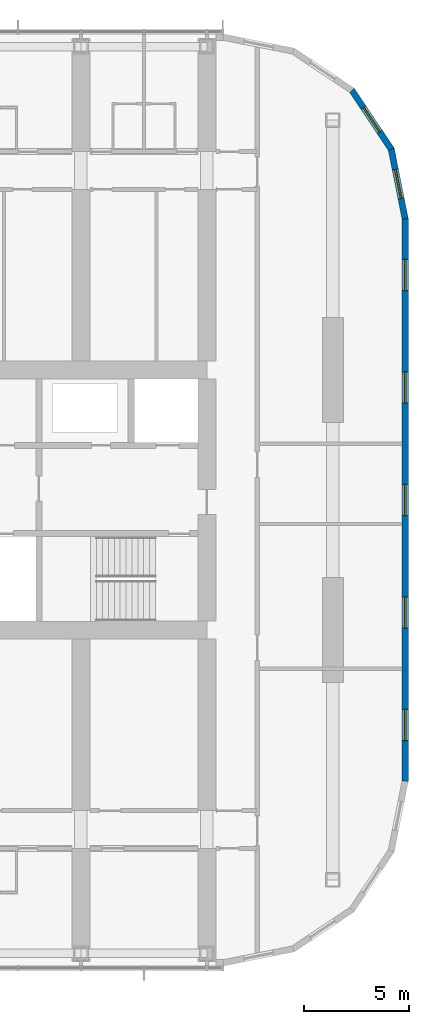
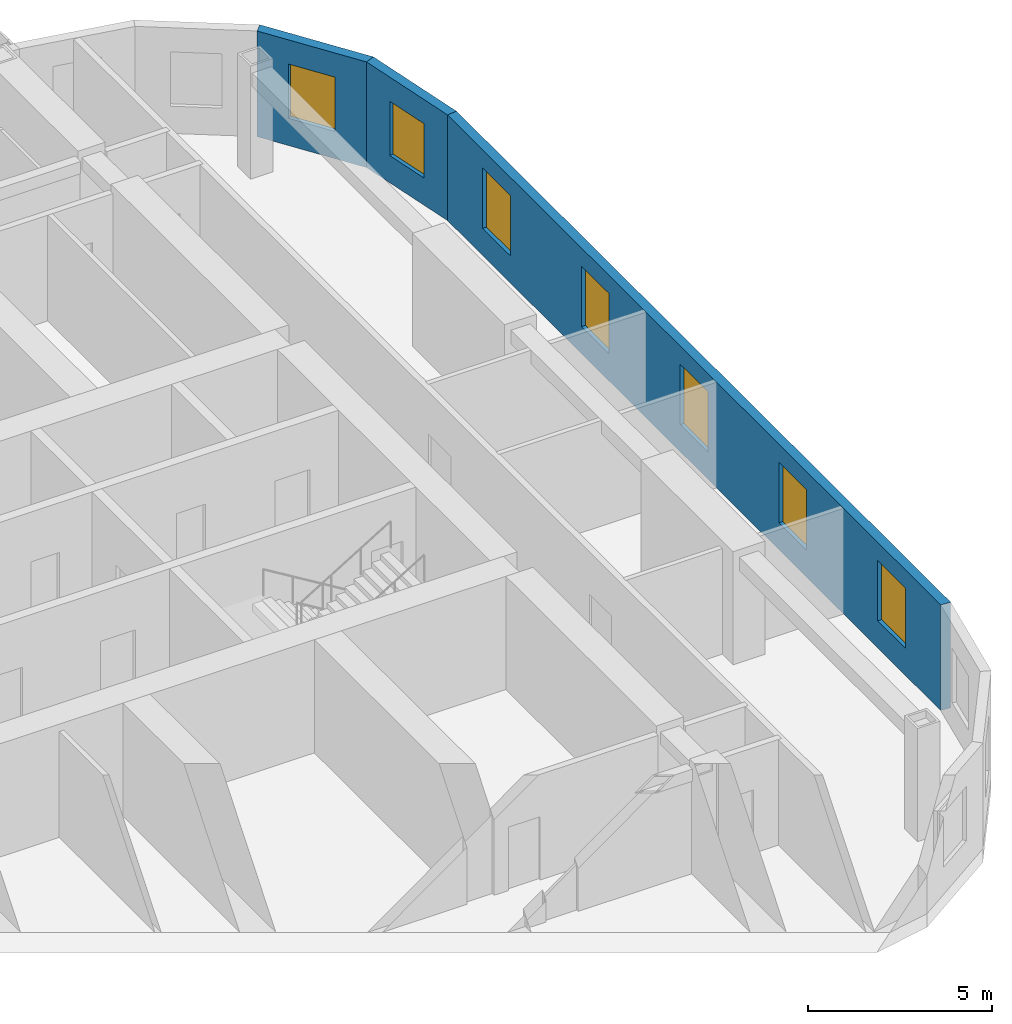
# One storey, part 22 of 29: 7 windows, 3 walls, 7 openings.
"""IFC4 building model written with IfcOpenShell, lengths in metres."""

from ifc_helpers import new_model, si_unit, direction, frame, frame_2d, origin, place, context, subcontext, project, spatial, polyline, rectangle, outline, extrude, material, layer, layer_set, type_object, element, fill, save


model = new_model("IFC4")

# Units and contexts
model_context = context("Model", 3, precision=1e-05, world=origin(), true_north=direction((0.0, 1.0)))
body_context = subcontext(model_context, "Body", "Model", "MODEL_VIEW")
ifc_project = project(units=[si_unit("LENGTHUNIT", "METRE"), si_unit("AREAUNIT", "SQUARE_METRE"), si_unit("VOLUMEUNIT", "CUBIC_METRE"), si_unit("PLANEANGLEUNIT", "RADIAN"), si_unit("MASSUNIT", "GRAM", prefix="KILO")], contexts=[model_context])

# Site, building, storey
site_placement = place(None, origin())
site = spatial("IfcSite", under=ifc_project, at=site_placement, CompositionType="ELEMENT")
building_placement = place(site_placement, origin())
building = spatial("IfcBuilding", under=site, at=building_placement, Name="Orbita Commons", CompositionType="ELEMENT")
storey_placement = place(building_placement, frame((0.0, 0.0, 163.60009765625)))
storey = spatial("IfcBuildingStorey", under=building, at=storey_placement, Name="L40", CompositionType="ELEMENT", Elevation=163.60009765625)

# Wall, openings, windows
ifc_material_1 = material(Name="Precast concrete C40/50, white board-marked finish", Category="concrete")
ifc_layer = layer(ifc_material_1, 0.300048828125)
ifc_layer_set = layer_set([ifc_layer], Name="Precast concrete C40/50, white board-marked finish")
wall_type = type_object("IfcWallType", Name="Precast concrete end shield 300", PredefinedType="SOLIDWALL", material=ifc_layer_set)
wall_1_placement = place(storey_placement, frame((75.449951171875, 18.60009765625, 0.0), z_axis=(0.0, 0.0, 1.0), x_axis=(0.0, 1.0, 0.0)))
wall_1 = element("IfcWall", 1, at=wall_1_placement, inside=storey, type_object=wall_type, Name="End shield E L40", PredefinedType="SOLIDWALL", context=body_context, shape_type="SweptSolid", body=[
    extrude(outline(polyline([(-0.014892578125, -0.14990234375), (26.814697265625, -0.14990234375), (26.784912109375, 0.14990234375), (0.014892578125, 0.14990234375), (-0.014892578125, -0.14990234375)])), origin(), (0.0, 0.0, 1.0), 3.5),
])
opening_1_placement = place(wall_1_placement, frame((1.929931640625, 0.0, 0.89990234375)))
opening_1 = element("IfcOpeningElement", 2, at=opening_1_placement, cuts=wall_1, Name="Opening W01", PredefinedType="OPENING", context=body_context, shape_type="SweptSolid", body=[
    extrude(rectangle(XDim=1.5, YDim=2.0, at=frame_2d((0.75, 1.0))), frame((0.0, 0.159912109375, 0.0), z_axis=(0.0, -1.0, 0.0), x_axis=(1.0, 0.0, 0.0)), (0.0, 0.0, 1.0), 0.320068359375),
])
opening_2_placement = place(wall_1_placement, frame((7.2900390625, 0.0, 0.89990234375)))
opening_2 = element("IfcOpeningElement", 3, at=opening_2_placement, cuts=wall_1, Name="Opening W01", PredefinedType="OPENING", context=body_context, shape_type="SweptSolid", body=[
    extrude(rectangle(XDim=1.5, YDim=2.0, at=frame_2d((0.75, 1.0))), frame((0.0, 0.159912109375, 0.0), z_axis=(0.0, -1.0, 0.0), x_axis=(1.0, 0.0, 0.0)), (0.0, 0.0, 1.0), 0.320068359375),
])
opening_3_placement = place(wall_1_placement, frame((12.64990234375, 0.0, 0.89990234375)))
opening_3 = element("IfcOpeningElement", 4, at=opening_3_placement, cuts=wall_1, Name="Opening W01", PredefinedType="OPENING", context=body_context, shape_type="SweptSolid", body=[
    extrude(rectangle(XDim=1.5, YDim=2.0, at=frame_2d((0.75, 1.0))), frame((0.0, 0.159912109375, 0.0), z_axis=(0.0, -1.0, 0.0), x_axis=(1.0, 0.0, 0.0)), (0.0, 0.0, 1.0), 0.320068359375),
])
opening_4_placement = place(wall_1_placement, frame((18.010009765625, 0.0, 0.89990234375)))
opening_4 = element("IfcOpeningElement", 5, at=opening_4_placement, cuts=wall_1, Name="Opening W01", PredefinedType="OPENING", context=body_context, shape_type="SweptSolid", body=[
    extrude(rectangle(XDim=1.5, YDim=2.0, at=frame_2d((0.75, 1.0))), frame((0.0, 0.159912109375, 0.0), z_axis=(0.0, -1.0, 0.0), x_axis=(1.0, 0.0, 0.0)), (0.0, 0.0, 1.0), 0.320068359375),
])
opening_5_placement = place(wall_1_placement, frame((23.3701171875, 0.0, 0.89990234375)))
opening_5 = element("IfcOpeningElement", 6, at=opening_5_placement, cuts=wall_1, Name="Opening W01", PredefinedType="OPENING", context=body_context, shape_type="SweptSolid", body=[
    extrude(rectangle(XDim=1.5, YDim=2.0, at=frame_2d((0.75, 1.0))), frame((0.0, 0.159912109375, 0.0), z_axis=(0.0, -1.0, 0.0), x_axis=(1.0, 0.0, 0.0)), (0.0, 0.0, 1.0), 0.320068359375),
])
ifc_material_2 = material(Name="Aluminium frame, clear double glazing", Category="aluminium")
window_type_1 = type_object("IfcWindowType", Name="Deep-set window 1500x2000", PartitioningType="SINGLE_PANEL", PredefinedType="WINDOW", material=ifc_material_2)
window_1_placement = place(opening_1_placement, origin())
window_1 = element("IfcWindow", 7, at=window_1_placement, inside=storey, type_object=window_type_1, Name="Window L40-E 1", OverallHeight=2.0, OverallWidth=1.5, PartitioningType="SINGLE_PANEL", PredefinedType="WINDOW", context=body_context, shape_type="SweptSolid", body=[
    extrude(rectangle(XDim=1.5, YDim=2.0, at=frame_2d((0.75, 1.0))), frame((0.0, 0.030029296875, 0.0), z_axis=(0.0, -1.0, 0.0), x_axis=(1.0, 0.0, 0.0)), (0.0, 0.0, 1.0), 0.06005859375),
])
fill(opening_1, window_1)
window_2_placement = place(opening_2_placement, origin())
window_2 = element("IfcWindow", 8, at=window_2_placement, inside=storey, type_object=window_type_1, Name="Window L40-E 2", OverallHeight=2.0, OverallWidth=1.5, PartitioningType="SINGLE_PANEL", PredefinedType="WINDOW", context=body_context, shape_type="SweptSolid", body=[
    extrude(rectangle(XDim=1.5, YDim=2.0, at=frame_2d((0.75, 1.0))), frame((0.0, 0.030029296875, 0.0), z_axis=(0.0, -1.0, 0.0), x_axis=(1.0, 0.0, 0.0)), (0.0, 0.0, 1.0), 0.06005859375),
])
fill(opening_2, window_2)
window_3_placement = place(opening_3_placement, origin())
window_3 = element("IfcWindow", 9, at=window_3_placement, inside=storey, type_object=window_type_1, Name="Window L40-E 3", OverallHeight=2.0, OverallWidth=1.5, PartitioningType="SINGLE_PANEL", PredefinedType="WINDOW", context=body_context, shape_type="SweptSolid", body=[
    extrude(rectangle(XDim=1.5, YDim=2.0, at=frame_2d((0.75, 1.0))), frame((0.0, 0.030029296875, 0.0), z_axis=(0.0, -1.0, 0.0), x_axis=(1.0, 0.0, 0.0)), (0.0, 0.0, 1.0), 0.06005859375),
])
fill(opening_3, window_3)
window_4_placement = place(opening_4_placement, origin())
window_4 = element("IfcWindow", 10, at=window_4_placement, inside=storey, type_object=window_type_1, Name="Window L40-E 4", OverallHeight=2.0, OverallWidth=1.5, PartitioningType="SINGLE_PANEL", PredefinedType="WINDOW", context=body_context, shape_type="SweptSolid", body=[
    extrude(rectangle(XDim=1.5, YDim=2.0, at=frame_2d((0.75, 1.0))), frame((0.0, 0.030029296875, 0.0), z_axis=(0.0, -1.0, 0.0), x_axis=(1.0, 0.0, 0.0)), (0.0, 0.0, 1.0), 0.06005859375),
])
fill(opening_4, window_4)
window_5_placement = place(opening_5_placement, origin())
window_5 = element("IfcWindow", 11, at=window_5_placement, inside=storey, type_object=window_type_1, Name="Window L40-E 5", OverallHeight=2.0, OverallWidth=1.5, PartitioningType="SINGLE_PANEL", PredefinedType="WINDOW", context=body_context, shape_type="SweptSolid", body=[
    extrude(rectangle(XDim=1.5, YDim=2.0, at=frame_2d((0.75, 1.0))), frame((0.0, 0.030029296875, 0.0), z_axis=(0.0, -1.0, 0.0), x_axis=(1.0, 0.0, 0.0)), (0.0, 0.0, 1.0), 0.06005859375),
])
fill(opening_5, window_5)

# Wall, opening, window
wall_2_placement = place(storey_placement, frame((75.449951171875, 45.39990234375, 0.0), z_axis=(0.0, 0.0, 1.0), x_axis=(-0.19508664885, 0.980786011034, 0.0)))
wall_2 = element("IfcWall", 12, at=wall_2_placement, inside=storey, type_object=wall_type, Name="End shield NE chord 1 L40", PredefinedType="SOLIDWALL", context=body_context, shape_type="SweptSolid", body=[
    extrude(outline(polyline([(-0.014892578125, -0.14990234375), (3.405029296875, -0.14990234375), (3.345458984375, 0.14990234375), (0.014892578125, 0.14990234375), (-0.014892578125, -0.14990234375)])), origin(), (0.0, 0.0, 1.0), 3.5),
])
opening_6_placement = place(wall_2_placement, frame((0.987548828125, 0.0, 0.89990234375)))
opening_6 = element("IfcOpeningElement", 13, at=opening_6_placement, cuts=wall_2, Name="Opening W02", PredefinedType="OPENING", context=body_context, shape_type="SweptSolid", body=[
    extrude(rectangle(XDim=1.39990234375, YDim=1.800048828125, at=frame_2d((0.699951171875, 0.89990234375))), frame((0.0, 0.159912109375, 0.0), z_axis=(0.0, -1.0, 0.0), x_axis=(1.0, 0.0, 0.0)), (0.0, 0.0, 1.0), 0.320068359375),
])
ifc_material_3 = material(Name="Aluminium frame, clear double glazing", Category="aluminium")
window_type_2 = type_object("IfcWindowType", Name="Deep-set window 1400x1800", PartitioningType="SINGLE_PANEL", PredefinedType="WINDOW", material=ifc_material_3)
window_6_placement = place(opening_6_placement, origin())
window_6 = element("IfcWindow", 14, at=window_6_placement, inside=storey, type_object=window_type_2, Name="Window L40-NE0", OverallHeight=1.800048828125, OverallWidth=1.39990234375, PartitioningType="SINGLE_PANEL", PredefinedType="WINDOW", context=body_context, shape_type="SweptSolid", body=[
    extrude(rectangle(XDim=1.39990234375, YDim=1.800048828125, at=frame_2d((0.699951171875, 0.89990234375))), frame((0.0, 0.030029296875, 0.0), z_axis=(0.0, -1.0, 0.0), x_axis=(1.0, 0.0, 0.0)), (0.0, 0.0, 1.0), 0.06005859375),
])
fill(opening_6, window_6)

wall_3_placement = place(storey_placement, frame((74.79150390625, 48.710205078125, 0.0), z_axis=(0.0, 0.0, 1.0), x_axis=(-0.555534554399, 0.831493450887, 0.0)))
wall_3 = element("IfcWall", 15, at=wall_3_placement, inside=storey, type_object=wall_type, Name="End shield NE chord 2 L40", PredefinedType="SOLIDWALL", context=body_context, shape_type="SweptSolid", body=[
    extrude(outline(polyline([(-0.02978515625, -0.14990234375), (3.405029296875, -0.14990234375), (3.345458984375, 0.14990234375), (0.02978515625, 0.14990234375), (-0.02978515625, -0.14990234375)])), origin(), (0.0, 0.0, 1.0), 3.5),
])
opening_7_placement = place(wall_3_placement, frame((0.987548828125, 0.0, 0.89990234375)))
opening_7 = element("IfcOpeningElement", 16, at=opening_7_placement, cuts=wall_3, Name="Opening W02", PredefinedType="OPENING", context=body_context, shape_type="SweptSolid", body=[
    extrude(rectangle(XDim=1.39990234375, YDim=1.800048828125, at=frame_2d((0.699951171875, 0.89990234375))), frame((0.0, 0.159912109375, 0.0), z_axis=(0.0, -1.0, 0.0), x_axis=(1.0, 0.0, 0.0)), (0.0, 0.0, 1.0), 0.320068359375),
])
window_7_placement = place(opening_7_placement, origin())
window_7 = element("IfcWindow", 17, at=window_7_placement, inside=storey, type_object=window_type_2, Name="Window L40-NE1", OverallHeight=1.800048828125, OverallWidth=1.39990234375, PartitioningType="SINGLE_PANEL", PredefinedType="WINDOW", context=body_context, shape_type="SweptSolid", body=[
    extrude(rectangle(XDim=1.39990234375, YDim=1.800048828125, at=frame_2d((0.699951171875, 0.89990234375))), frame((0.0, 0.030029296875, 0.0), z_axis=(0.0, -1.0, 0.0), x_axis=(1.0, 0.0, 0.0)), (0.0, 0.0, 1.0), 0.06005859375),
])
fill(opening_7, window_7)

save(model, "model.ifc")
